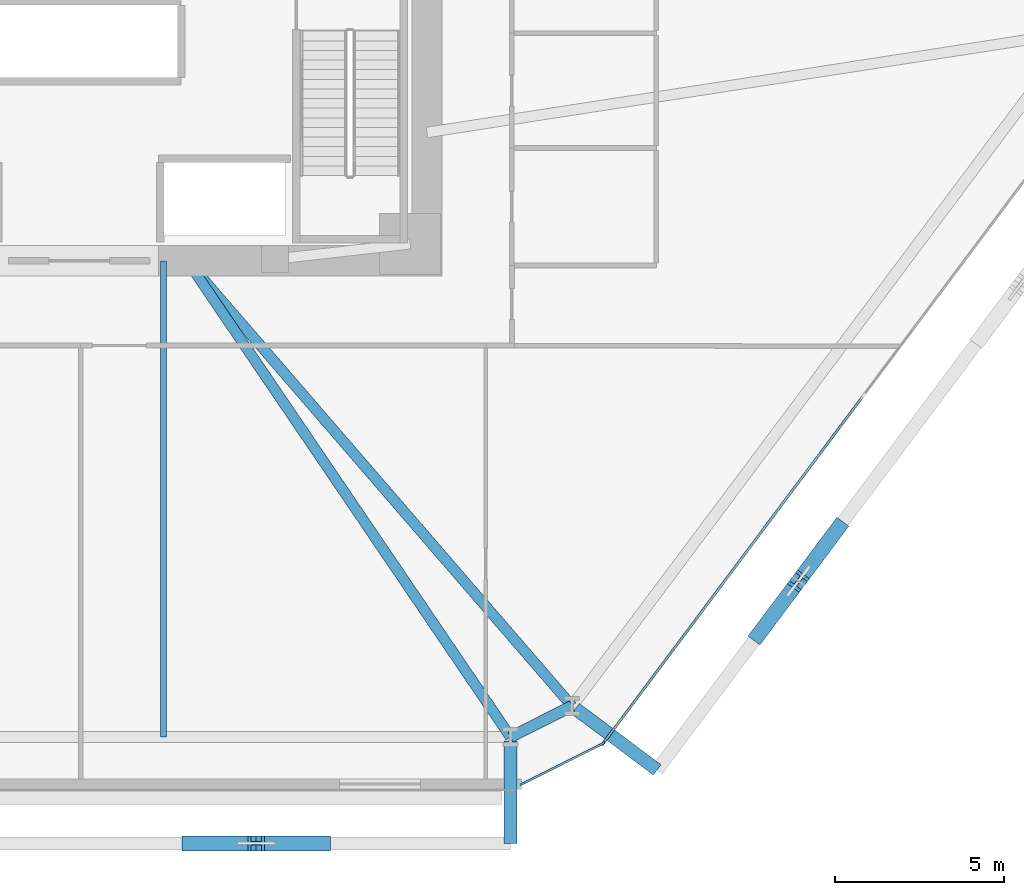
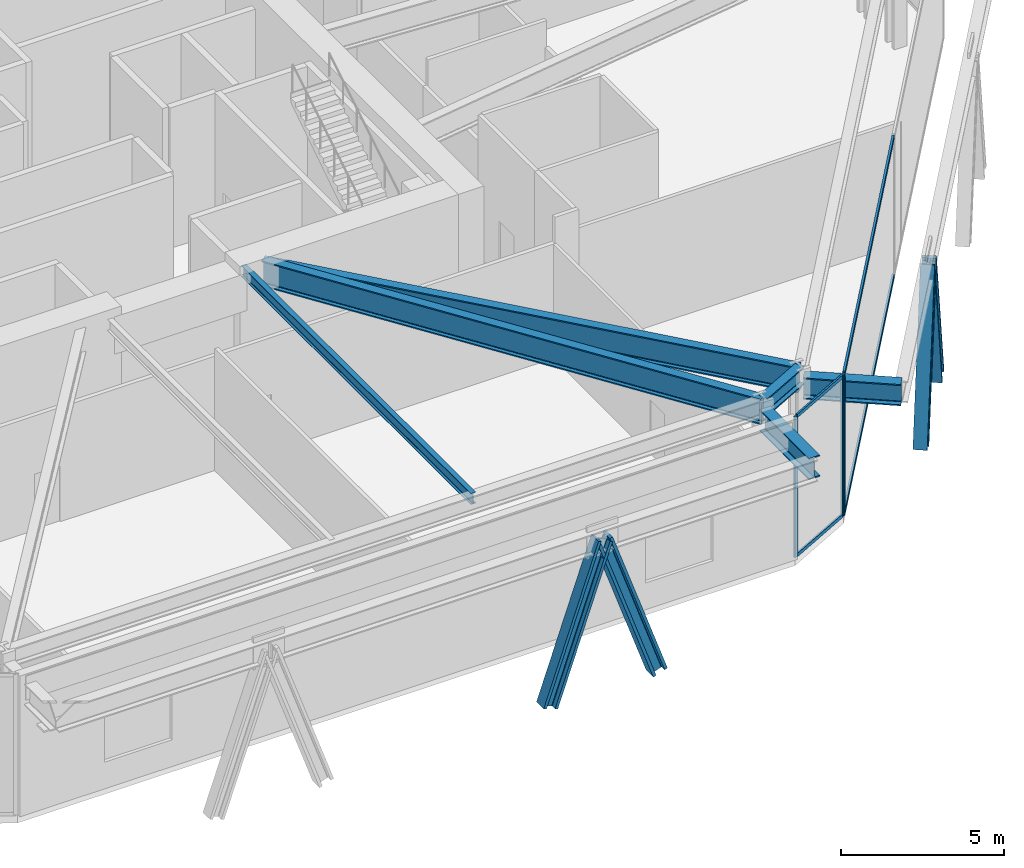
# One storey, part 5 of 23: 11 members, 6 beams, 2 elements without a shape of their own.
"""IFC4 building model written with IfcOpenShell, lengths in metres."""

from ifc_helpers import new_model, si_unit, direction, frame, origin, origin_2d, place, context, subcontext, project, spatial, rectangle, i_section, extrude, source, transform, mapped, material, layer, layer_set, material_profile, profile_set, type_object, type_shapes, element, aggregate, save


model = new_model("IFC4")

# Units and contexts
model_context = context("Model", 3, precision=1e-05, world=origin(), true_north=direction((0.0, 1.0)))
body_context = subcontext(model_context, "Body", "Model", "MODEL_VIEW")
ifc_project = project(units=[si_unit("LENGTHUNIT", "METRE"), si_unit("AREAUNIT", "SQUARE_METRE"), si_unit("VOLUMEUNIT", "CUBIC_METRE"), si_unit("PLANEANGLEUNIT", "RADIAN"), si_unit("MASSUNIT", "GRAM", prefix="KILO")], contexts=[model_context])

# Site, building, storey
site_placement = place(None, origin())
site = spatial("IfcSite", under=ifc_project, at=site_placement, CompositionType="ELEMENT")
building_placement = place(site_placement, origin())
building = spatial("IfcBuilding", under=site, at=building_placement, Name="Durnholm Broadcast Tower", CompositionType="ELEMENT")
storey_placement = place(building_placement, frame((0.0, 0.0, 21.199951171875)))
storey = spatial("IfcBuildingStorey", under=building, at=storey_placement, Name="L04", CompositionType="ELEMENT", Elevation=21.199951171875)

# Beams
ifc_material_1 = material(Name="Steel ASTM A992 Grade 50", Category="steel")
ifc_material_profile_1 = material_profile(ifc_material_1, i_section(OverallWidth=0.3330078125, OverallDepth=0.660888671875, WebThickness=0.0244140625, FlangeThickness=0.0439453125, FilletRadius=0.02783203125, at=origin_2d()), Name="W24X229")
ifc_profile_set_1 = profile_set([ifc_material_profile_1], Name="Steel ASTM A992 Grade 50")
beam_type_1 = type_object("IfcBeamType", Name="STL-SP-W24X229", PredefinedType="SPANDREL", material=ifc_profile_set_1)
shared_shape_1 = source(origin(), body_context, "Body", "SweptSolid", [
    extrude(i_section(OverallWidth=0.3330078125, OverallDepth=0.660888671875, WebThickness=0.0244140625, FlangeThickness=0.0439453125, FilletRadius=0.02783203125, at=origin_2d()), origin(), (0.0, 0.0, 1.0), 2.0380859375),
])
type_shapes(beam_type_1, [shared_shape_1])
beam_1_placement = place(storey_placement, frame((14.594482421875, -21.487548828125, 4.9345703125), z_axis=(-0.894211470078, -0.447644777452, 0.0), x_axis=(0.447644777452, -0.894211470078, 0.0)))
element("IfcBeam", 1, at=beam_1_placement, inside=storey, type_object=beam_type_1, Name="L04 perimeter spandrel girder 10", PredefinedType="SPANDREL", context=body_context, shape_type="MappedRepresentation", body=[
    mapped(shared_shape_1, transform((0.0, 0.0, 0.0), x_axis=(1.0, 0.0, 0.0), y_axis=(0.0, 1.0, 0.0), z_axis=(0.0, 0.0, 1.0), scale=1.0)),
])
ifc_material_profile_2 = material_profile(ifc_material_1, i_section(OverallWidth=0.180908203125, OverallDepth=0.417236328125, WebThickness=0.010986328125, FlangeThickness=0.018310546875, FilletRadius=0.01904296875, at=origin_2d()), Name="W16X57")
ifc_profile_set_2 = profile_set([ifc_material_profile_2], Name="Steel ASTM A992 Grade 50")
beam_type_2 = type_object("IfcBeamType", Name="STL-BJ-W16X57", PredefinedType="JOIST", material=ifc_profile_set_2)
shared_shape_2 = source(origin(), body_context, "Body", "SweptSolid", [
    extrude(i_section(OverallWidth=0.180908203125, OverallDepth=0.417236328125, WebThickness=0.010986328125, FlangeThickness=0.018310546875, FilletRadius=0.01904296875, at=origin_2d()), origin(), (0.0, 0.0, 1.0), 14.099853515625),
])
type_shapes(beam_type_2, [shared_shape_2])
beam_2_placement = place(storey_placement, frame((2.5, -22.39990234375, 5.056396484375), z_axis=(0.0, 1.0, 0.0), x_axis=(-1.0, 0.0, 0.0)))
element("IfcBeam", 2, at=beam_2_placement, inside=storey, type_object=beam_type_2, Name="L04 secondary floor joist 6.1", PredefinedType="JOIST", context=body_context, shape_type="MappedRepresentation", body=[
    mapped(shared_shape_2, transform((0.0, 0.0, 0.0), x_axis=(1.0, 0.0, 0.0), y_axis=(0.0, 1.0, 0.0), z_axis=(0.0, 0.0, 1.0), scale=1.0)),
])
ifc_material_profile_3 = material_profile(ifc_material_1, i_section(OverallWidth=0.385009765625, OverallDepth=0.802978515625, WebThickness=0.023681640625, FlangeThickness=0.0419921875, FilletRadius=0.032958984375, at=origin_2d()), Name="W30X261")
ifc_profile_set_3 = profile_set([ifc_material_profile_3], Name="Steel ASTM A992 Grade 50")
beam_type_3 = type_object("IfcBeamType", Name="BM-EXO-TIE", PredefinedType="USERDEFINED", material=ifc_profile_set_3)
shared_shape_3 = source(origin(), body_context, "Body", "SweptSolid", [
    extrude(i_section(OverallWidth=0.385009765625, OverallDepth=0.802978515625, WebThickness=0.023681640625, FlangeThickness=0.0419921875, FilletRadius=0.032958984375, at=origin_2d()), origin(), (0.0, 0.0, 1.0), 3.024169921875),
])
type_shapes(beam_type_3, [shared_shape_3])
for number, where, z_axis, x_axis, name in (
    (3, (12.77197265625, -22.52587890625, 4.528564453125), (0.0, -1.0, 0.0), (1.0, 0.0, 0.0), "L04 exoskeleton stand-off tie bracket F1.2"),
    (4, (14.6953125, -21.56298828125, 4.528564453125), (0.800609912919, -0.599185920509, 0.0), (0.599185920509, 0.800609912919, 0.0), "L04 exoskeleton stand-off tie bracket F2.1"),
):
    element("IfcBeam", number, at=place(storey_placement, frame(where, z_axis=z_axis, x_axis=x_axis)), inside=storey, type_object=beam_type_3, Name=name, ObjectType="GIRDER", PredefinedType="USERDEFINED", context=body_context, shape_type="MappedRepresentation", body=[
        mapped(shared_shape_3, transform((0.0, 0.0, 0.0), x_axis=(1.0, 0.0, 0.0), y_axis=(0.0, 1.0, 0.0), z_axis=(0.0, 0.0, 1.0), scale=1.0)),
    ])
ifc_material_profile_4 = material_profile(ifc_material_1, i_section(OverallWidth=0.310302734375, OverallDepth=0.950439453125, WebThickness=0.0244140625, FlangeThickness=0.0439453125, FilletRadius=0.0380859375, at=origin_2d()), Name="W36X256")
ifc_profile_set_4 = profile_set([ifc_material_profile_4], Name="Steel ASTM A992 Grade 50")
beam_type_4 = type_object("IfcBeamType", Name="STL-GR-W36X256", PredefinedType="USERDEFINED", material=ifc_profile_set_4)
shared_shape_4 = source(origin(), body_context, "Body", "SweptSolid", [
    extrude(i_section(OverallWidth=0.310302734375, OverallDepth=0.950439453125, WebThickness=0.0244140625, FlangeThickness=0.0439453125, FilletRadius=0.0380859375, at=origin_2d()), origin(), (0.0, 0.0, 1.0), 17.42822265625),
])
beam_3_placement = place(storey_placement, frame((3.199951171875, -8.300048828125, 4.789794921875), z_axis=(0.653794915042, -0.756671797456, 0.0), x_axis=(0.756671797456, 0.653794915042, 0.0)))
element("IfcBeam", 5, at=beam_3_placement, inside=storey, type_object=beam_type_4, Name="L04 radial primary floor girder 10", ObjectType="GIRDER", PredefinedType="USERDEFINED", context=body_context, shape_type="MappedRepresentation", body=[
    mapped(shared_shape_4, transform((0.0, 0.0, 0.0), x_axis=(1.0, 0.0, 0.0), y_axis=(0.0, 1.0, 0.0), z_axis=(0.0, 0.0, 1.0), scale=1.0)),
])
shared_shape_5 = source(origin(), body_context, "Body", "SweptSolid", [
    extrude(i_section(OverallWidth=0.310302734375, OverallDepth=0.950439453125, WebThickness=0.0244140625, FlangeThickness=0.0439453125, FilletRadius=0.0380859375, at=origin_2d()), origin(), (0.0, 0.0, 1.0), 17.0419921875),
])
type_shapes(beam_type_4, [shared_shape_4, shared_shape_5])
beam_4_placement = place(storey_placement, frame((3.199951171875, -8.300048828125, 4.789794921875), z_axis=(0.561672715675, -0.827359511015, 0.0), x_axis=(0.827359511015, 0.561672715675, 0.0)))
element("IfcBeam", 6, at=beam_4_placement, inside=storey, type_object=beam_type_4, Name="L04 radial primary floor girder 11", ObjectType="GIRDER", PredefinedType="USERDEFINED", context=body_context, shape_type="MappedRepresentation", body=[
    mapped(shared_shape_5, transform((0.0, 0.0, 0.0), x_axis=(1.0, 0.0, 0.0), y_axis=(0.0, 1.0, 0.0), z_axis=(0.0, 0.0, 1.0), scale=1.0)),
])

# Members
ifc_material_2 = material(Name="Steel ASTM A913 Grade 65", Category="steel")
ifc_material_profile_5 = material_profile(ifc_material_2, i_section(OverallWidth=0.44189453125, OverallDepth=0.531494140625, WebThickness=0.06591796875, FlangeThickness=0.105712890625, FilletRadius=0.030517578125, at=origin_2d()), Name="W14X605")
ifc_profile_set_5 = profile_set([ifc_material_profile_5], Name="Steel ASTM A913 Grade 65")
member_type_1 = type_object("IfcMemberType", Name="STL-DG-W14X605", PredefinedType="BRACE", material=ifc_profile_set_5)
shared_shape_6 = source(origin(), body_context, "Body", "SweptSolid", [
    extrude(i_section(OverallWidth=0.44189453125, OverallDepth=0.531494140625, WebThickness=0.06591796875, FlangeThickness=0.105712890625, FilletRadius=0.030517578125, at=origin_2d()), origin(), (0.0, 0.0, 1.0), 5.927978515625),
])
type_shapes(member_type_1, [shared_shape_6])
for number, where, z_axis, x_axis, name in (
    (7, (3.298095703125, -25.550048828125, -1.071533203125), (0.327990249611, 0.0, 0.944681108184), (0.0, 1.0, 0.0), "L04 stand-off diagrid brace F1.D2.1"),
    (8, (7.1865234375, -25.550048828125, -1.071533203125), (-0.327953495245, 0.0, 0.944693868381), (0.0, -1.0, 0.0), "L04 stand-off diagrid brace F1.D2.2"),
    (9, (20.13330078125, -19.343505859375, -1.071533203125), (0.196493091775, 0.262553649144, 0.944698918284), (-0.800617464095, 0.599175830776, 0.0), "L04 stand-off diagrid brace F2.D1.1"),
    (10, (22.463134765625, -16.23046875, -1.071533203125), (-0.196530560798, -0.262589869163, 0.94468105691), (0.800602308277, -0.599196081414, 0.0), "L04 stand-off diagrid brace F2.D1.2"),
):
    element("IfcMember", number, at=place(storey_placement, frame(where, z_axis=z_axis, x_axis=x_axis)), inside=storey, type_object=member_type_1, Name=name, PredefinedType="BRACE", context=body_context, shape_type="MappedRepresentation", body=[
        mapped(shared_shape_6, transform((0.0, 0.0, 0.0), x_axis=(1.0, 0.0, 0.0), y_axis=(0.0, 1.0, 0.0), z_axis=(0.0, 0.0, 1.0), scale=1.0)),
    ])

# Curtain wall, members
ifc_material_3 = material(Name="Aluminium and Solar Control IGU", Category="aluminium")
ifc_layer_1 = layer(ifc_material_3, 0.1650390625)
ifc_layer_set_1 = layer_set([ifc_layer_1], Name="Aluminium and Solar Control IGU")
curtain_wall_type_1 = type_object("IfcCurtainWallType", Name="CW-SYS-5", PredefinedType="NOTDEFINED", material=ifc_layer_set_1)
curtain_wall_1_placement = place(storey_placement, origin())
curtain_wall_1 = element("IfcCurtainWall", 11, at=curtain_wall_1_placement, inside=storey, type_object=curtain_wall_type_1, Name="L04 curtain wall CW-CORNER CW-L04-CRN-09", PredefinedType="NOTDEFINED")
ifc_material_4 = material(Name="Aluminium 6063-T6", Category="aluminium")
ifc_material_profile_6 = material_profile(ifc_material_4, rectangle(XDim=0.06494140625, YDim=0.1298828125, at=origin_2d()), Name="CWT65X130")
ifc_profile_set_6 = profile_set([ifc_material_profile_6], Name="Aluminium 6063-T6")
member_type_2 = type_object("IfcMemberType", Name="CW-SYS-5-TRN", PredefinedType="USERDEFINED", material=ifc_profile_set_6)
shared_shape_7 = source(origin(), body_context, "Body", "SweptSolid", [
    extrude(rectangle(XDim=0.06494140625, YDim=0.1298828125, at=origin_2d()), origin(), (0.0, 0.0, 1.0), 2.570068359375),
])
type_shapes(member_type_2, [shared_shape_7])
member_1_placement = place(storey_placement, frame((15.458984375, -22.620361328125, 0.032470703125), z_axis=(-0.894180069769, -0.447707496953, 0.0), x_axis=(0.447707496953, -0.894180069769, 0.0)))
member_1 = element("IfcMember", 12, at=member_1_placement, type_object=member_type_2, Name="CW-CORNER transom 1.1", ObjectType="TRANSOM", PredefinedType="USERDEFINED", context=body_context, shape_type="MappedRepresentation", body=[
    mapped(shared_shape_7, transform((0.0, 0.0, 0.0), x_axis=(1.0, 0.0, 0.0), y_axis=(0.0, 1.0, 0.0), z_axis=(0.0, 0.0, 1.0), scale=1.0)),
])
member_2_placement = place(storey_placement, frame((15.458984375, -22.620361328125, 5.24755859375), z_axis=(-0.894180069769, -0.447707496953, 0.0), x_axis=(0.447707496953, -0.894180069769, 0.0)))
member_2 = element("IfcMember", 13, at=member_2_placement, type_object=member_type_2, Name="CW-CORNER transom 1.2", ObjectType="TRANSOM", PredefinedType="USERDEFINED", context=body_context, shape_type="MappedRepresentation", body=[
    mapped(shared_shape_7, transform((0.0, 0.0, 0.0), x_axis=(1.0, 0.0, 0.0), y_axis=(0.0, 1.0, 0.0), z_axis=(0.0, 0.0, 1.0), scale=1.0)),
])

ifc_layer_2 = layer(ifc_material_3, 0.219970703125)
ifc_layer_set_2 = layer_set([ifc_layer_2], Name="Aluminium and Solar Control IGU")
curtain_wall_type_2 = type_object("IfcCurtainWallType", Name="CW-SYS-2", PredefinedType="NOTDEFINED", material=ifc_layer_set_2)
curtain_wall_2_placement = place(storey_placement, origin())
curtain_wall_2 = element("IfcCurtainWall", 14, at=curtain_wall_2_placement, inside=storey, type_object=curtain_wall_type_2, Name="L04 curtain wall CW-STUDIO CW-L04-F08", PredefinedType="NOTDEFINED")
ifc_material_profile_7 = material_profile(ifc_material_4, rectangle(XDim=0.074951171875, YDim=0.179931640625, at=origin_2d()), Name="CWT75X180")
ifc_profile_set_7 = profile_set([ifc_material_profile_7], Name="Aluminium 6063-T6")
member_type_3 = type_object("IfcMemberType", Name="CW-SYS-2-TRN", PredefinedType="USERDEFINED", material=ifc_profile_set_7)
shared_shape_8 = source(origin(), body_context, "Body", "SweptSolid", [
    extrude(rectangle(XDim=0.074951171875, YDim=0.179931640625, at=origin_2d()), origin(), (0.0, 0.0, 1.0), 12.736328125),
])
type_shapes(member_type_3, [shared_shape_8])
member_3_placement = place(storey_placement, frame((23.193115234375, -12.334228515625, 0.03759765625), z_axis=(-0.59916237373, -0.800627535066, 0.0), x_axis=(0.800627535066, -0.59916237373, 0.0)))
member_3 = element("IfcMember", 15, at=member_3_placement, type_object=member_type_3, Name="CW-STUDIO transom 2.1", ObjectType="TRANSOM", PredefinedType="USERDEFINED", context=body_context, shape_type="MappedRepresentation", body=[
    mapped(shared_shape_8, transform((0.0, 0.0, 0.0), x_axis=(1.0, 0.0, 0.0), y_axis=(0.0, 1.0, 0.0), z_axis=(0.0, 0.0, 1.0), scale=1.0)),
])
member_4_placement = place(storey_placement, frame((23.193115234375, -12.334228515625, 5.242431640625), z_axis=(-0.59916237373, -0.800627535066, 0.0), x_axis=(0.800627535066, -0.59916237373, 0.0)))
member_4 = element("IfcMember", 16, at=member_4_placement, type_object=member_type_3, Name="CW-STUDIO transom 2.2", ObjectType="TRANSOM", PredefinedType="USERDEFINED", context=body_context, shape_type="MappedRepresentation", body=[
    mapped(shared_shape_8, transform((0.0, 0.0, 0.0), x_axis=(1.0, 0.0, 0.0), y_axis=(0.0, 1.0, 0.0), z_axis=(0.0, 0.0, 1.0), scale=1.0)),
])

# Member
ifc_material_profile_8 = material_profile(ifc_material_4, rectangle(XDim=0.06494140625, YDim=0.1650390625, at=origin_2d()), Name="CWM65X165")
ifc_profile_set_8 = profile_set([ifc_material_profile_8], Name="Aluminium 6063-T6")
member_type_4 = type_object("IfcMemberType", Name="CW-SYS-5-MUL", PredefinedType="MULLION", material=ifc_profile_set_8)
shared_shape_9 = source(origin(), body_context, "Body", "SweptSolid", [
    extrude(rectangle(XDim=0.06494140625, YDim=0.1650390625, at=origin_2d()), origin(), (0.0, 0.0, 1.0), 5.280029296875),
])
type_shapes(member_type_4, [shared_shape_9])
member_5_placement = place(storey_placement, frame((15.488037109375, -22.60595703125, 0.0), z_axis=(0.0, 0.0, 1.0), x_axis=(0.447672802098, -0.894197440313, 0.0)))
member_5 = element("IfcMember", 17, at=member_5_placement, type_object=member_type_4, Name="CW-CORNER mullion 1", PredefinedType="MULLION", context=body_context, shape_type="MappedRepresentation", body=[
    mapped(shared_shape_9, transform((0.0, 0.0, 0.0), x_axis=(1.0, 0.0, 0.0), y_axis=(0.0, 1.0, 0.0), z_axis=(0.0, 0.0, 1.0), scale=1.0)),
])

member_6_placement = place(storey_placement, frame((13.1318359375, -23.785400390625, 0.0), z_axis=(0.0, 0.0, 1.0), x_axis=(0.447672802098, -0.894197440313, 0.0)))
member_6 = element("IfcMember", 18, at=member_6_placement, type_object=member_type_4, Name="CW-CORNER mullion 2", PredefinedType="MULLION", context=body_context, shape_type="MappedRepresentation", body=[
    mapped(shared_shape_9, transform((0.0, 0.0, 0.0), x_axis=(1.0, 0.0, 0.0), y_axis=(0.0, 1.0, 0.0), z_axis=(0.0, 0.0, 1.0), scale=1.0)),
])

aggregate(curtain_wall_1, [member_5, member_6, member_1, member_2])

ifc_material_profile_9 = material_profile(ifc_material_4, rectangle(XDim=0.074951171875, YDim=0.219970703125, at=origin_2d()), Name="CWM75X220")
ifc_profile_set_9 = profile_set([ifc_material_profile_9], Name="Aluminium 6063-T6")
member_type_5 = type_object("IfcMemberType", Name="CW-SYS-2-MUL", PredefinedType="MULLION", material=ifc_profile_set_9)
shared_shape_10 = source(origin(), body_context, "Body", "SweptSolid", [
    extrude(rectangle(XDim=0.074951171875, YDim=0.219970703125, at=origin_2d()), origin(), (0.0, 0.0, 1.0), 5.280029296875),
])
type_shapes(member_type_5, [shared_shape_10])
member_7_placement = place(storey_placement, frame((15.53955078125, -22.561279296875, 0.0), z_axis=(0.0, 0.0, 1.0), x_axis=(0.800631836327, -0.59915662615, 0.0)))
member_7 = element("IfcMember", 19, at=member_7_placement, type_object=member_type_5, Name="CW-STUDIO mullion 3", PredefinedType="MULLION", context=body_context, shape_type="MappedRepresentation", body=[
    mapped(shared_shape_10, transform((0.0, 0.0, 0.0), x_axis=(1.0, 0.0, 0.0), y_axis=(0.0, 1.0, 0.0), z_axis=(0.0, 0.0, 1.0), scale=1.0)),
])

aggregate(curtain_wall_2, [member_7, member_3, member_4])

save(model, "model.ifc")
